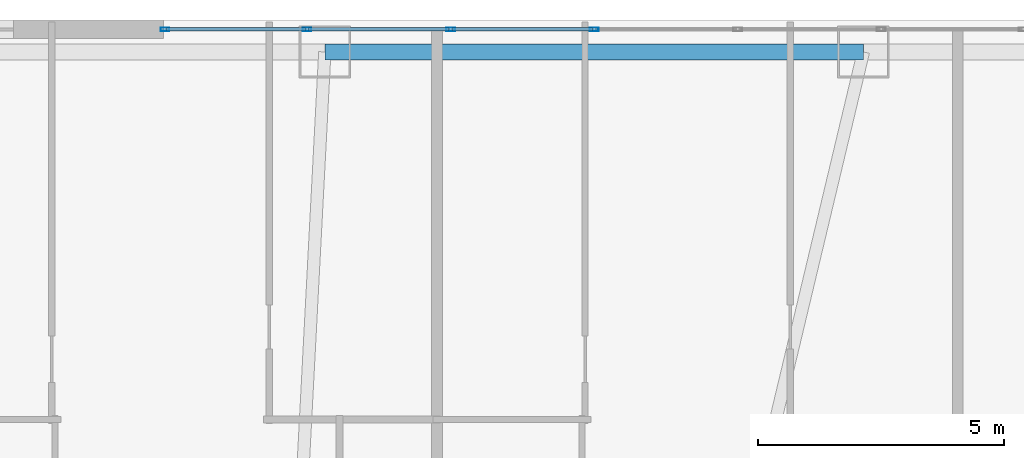
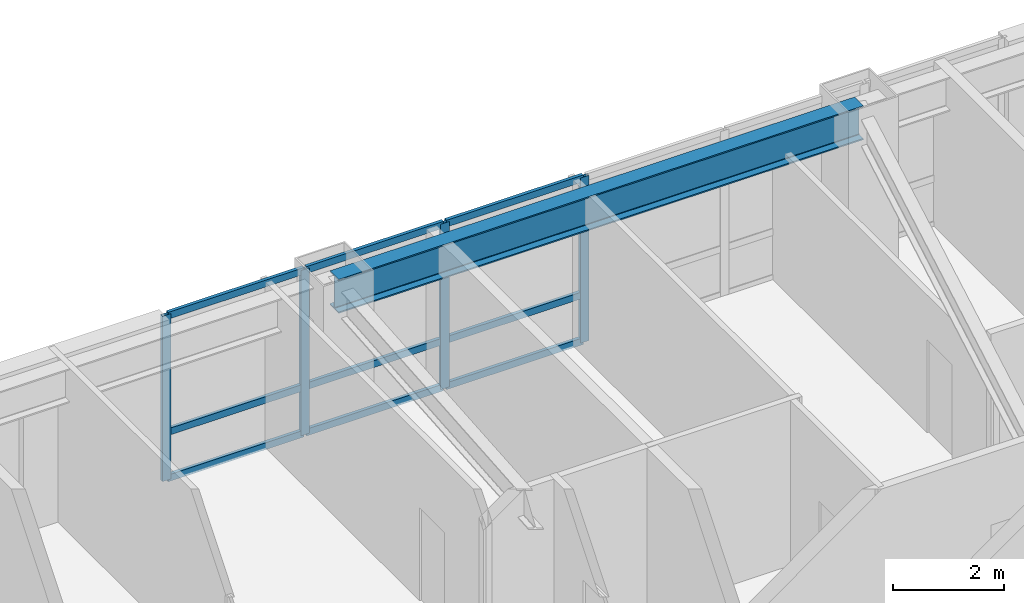
# One storey, part 17 of 28: 13 members, 1 beam, 1 element without a shape of its own.
"""IFC4 building model written with IfcOpenShell, lengths in metres."""

from ifc_helpers import new_model, si_unit, direction, frame, origin, origin_2d, place, context, subcontext, project, spatial, hollow_rectangle, i_section, extrude, material, layer, layer_set, material_profile, profile_set, type_object, element, aggregate, save


model = new_model("IFC4")

# Units and contexts
model_context = context("Model", 3, precision=1e-05, world=origin(), true_north=direction((0.0, 1.0)))
body_context = subcontext(model_context, "Body", "Model", "MODEL_VIEW")
ifc_project = project(units=[si_unit("LENGTHUNIT", "METRE"), si_unit("AREAUNIT", "SQUARE_METRE"), si_unit("VOLUMEUNIT", "CUBIC_METRE"), si_unit("PLANEANGLEUNIT", "RADIAN"), si_unit("MASSUNIT", "GRAM", prefix="KILO")], contexts=[model_context])

# Site, building, storey
site_placement = place(None, origin())
site = spatial("IfcSite", under=ifc_project, at=site_placement, CompositionType="ELEMENT")
building_placement = place(site_placement, origin())
building = spatial("IfcBuilding", under=site, at=building_placement, Name="Voryun Gate Residences", CompositionType="ELEMENT")
storey_placement = place(building_placement, frame((0.0, 0.0, 117.0)))
storey = spatial("IfcBuildingStorey", under=building, at=storey_placement, Name="L28", CompositionType="ELEMENT", Elevation=117.0)

# Beam
ifc_material_1 = material(Name="Steel SM355", Category="steel")
ifc_material_profile_1 = material_profile(ifc_material_1, i_section(OverallWidth=0.320068359375, OverallDepth=0.75, WebThickness=0.01611328125, FlangeThickness=0.028076171875, FilletRadius=0.01806640625, at=origin_2d()), Name="H-750x320x16x28")
ifc_profile_set_1 = profile_set([ifc_material_profile_1], Name="Steel SM355")
beam_type = type_object("IfcBeamType", Name="BM_EXO_SPANDREL_L", PredefinedType="SPANDREL", material=ifc_profile_set_1)
beam_placement = place(storey_placement, frame((7.47998046875, 21.14990234375, 3.27490234375), z_axis=(-1.0, 0.0, 0.0), x_axis=(0.0, -1.0, 0.0)))
element("IfcBeam", 1, at=beam_placement, inside=storey, type_object=beam_type, Name="BM-L28-SPAND-13", PredefinedType="SPANDREL", context=body_context, shape_type="SweptSolid", body=[
    extrude(i_section(OverallWidth=0.320068359375, OverallDepth=0.75, WebThickness=0.01611328125, FlangeThickness=0.028076171875, FilletRadius=0.01806640625, at=origin_2d()), origin(), (0.0, 0.0, 1.0), 10.9599609375),
])

# Curtain wall, members
ifc_material_2 = material(Name="Anodised aluminium", Category="aluminium")
ifc_layer = layer(ifc_material_2, 0.179931640625, Name="CW_SYS_RES_A_DARK_GLASS")
ifc_layer_set = layer_set([ifc_layer], Name="Anodised aluminium")
curtain_wall_type = type_object("IfcCurtainWallType", Name="CW_SYS_RES_A_DARK_GLASS", PredefinedType="NOTDEFINED", material=ifc_layer_set)
curtain_wall_placement = place(storey_placement, origin())
curtain_wall = element("IfcCurtainWall", 2, at=curtain_wall_placement, inside=storey, type_object=curtain_wall_type, Name="Curtain wall CWT-L28-11", PredefinedType="NOTDEFINED")
ifc_material_3 = material(Name="Anodised aluminium", Category="aluminium")
ifc_material_profile_2 = material_profile(ifc_material_3, hollow_rectangle(XDim=0.070068359375, YDim=0.179931640625, WallThickness=0.00390625, at=origin_2d()), Name="ALU-MULL-180x70x4")
ifc_profile_set_2 = profile_set([ifc_material_profile_2], Name="Anodised aluminium")
member_type_1 = type_object("IfcMemberType", Name="CW_MULL_RES", PredefinedType="MULLION", material=ifc_profile_set_2)
member_1_placement = place(storey_placement, frame((-6.73193359375, 21.610107421875, 0.0), z_axis=(0.0, 0.0, 1.0), x_axis=(0.0, 1.0, 0.0)))
member_1 = element("IfcMember", 3, at=member_1_placement, type_object=member_type_1, Name="CW3 mullion 1", PredefinedType="MULLION", context=body_context, shape_type="SweptSolid", body=[
    extrude(hollow_rectangle(XDim=0.070068359375, YDim=0.179931640625, WallThickness=0.00390625, at=origin_2d()), origin(), (0.0, 0.0, 1.0), 3.64990234375),
])
member_2_placement = place(storey_placement, frame((-3.84130859375, 21.610107421875, 0.0), z_axis=(0.0, 0.0, 1.0), x_axis=(0.0, 1.0, 0.0)))
member_2 = element("IfcMember", 4, at=member_2_placement, type_object=member_type_1, Name="CW3 mullion 2", PredefinedType="MULLION", context=body_context, shape_type="SweptSolid", body=[
    extrude(hollow_rectangle(XDim=0.070068359375, YDim=0.179931640625, WallThickness=0.00390625, at=origin_2d()), origin(), (0.0, 0.0, 1.0), 3.64990234375),
])
member_3_placement = place(storey_placement, frame((-0.920654296875, 21.610107421875, 0.0), z_axis=(0.0, 0.0, 1.0), x_axis=(0.0, 1.0, 0.0)))
member_3 = element("IfcMember", 5, at=member_3_placement, type_object=member_type_1, Name="CW3 mullion 3", PredefinedType="MULLION", context=body_context, shape_type="SweptSolid", body=[
    extrude(hollow_rectangle(XDim=0.070068359375, YDim=0.179931640625, WallThickness=0.00390625, at=origin_2d()), origin(), (0.0, 0.0, 1.0), 3.64990234375),
])
member_4_placement = place(storey_placement, frame((2.0, 21.610107421875, 0.0), z_axis=(0.0, 0.0, 1.0), x_axis=(0.0, 1.0, 0.0)))
member_4 = element("IfcMember", 6, at=member_4_placement, type_object=member_type_1, Name="CW3 mullion 4", PredefinedType="MULLION", context=body_context, shape_type="SweptSolid", body=[
    extrude(hollow_rectangle(XDim=0.070068359375, YDim=0.179931640625, WallThickness=0.00390625, at=origin_2d()), origin(), (0.0, 0.0, 1.0), 3.64990234375),
])
ifc_material_4 = material(Name="Anodised aluminium", Category="aluminium")
ifc_material_profile_3 = material_profile(ifc_material_4, hollow_rectangle(XDim=0.070068359375, YDim=0.14990234375, WallThickness=0.00390625, at=origin_2d()), Name="ALU-TRAN-150x70x4")
ifc_profile_set_3 = profile_set([ifc_material_profile_3], Name="Anodised aluminium")
member_type_2 = type_object("IfcMemberType", Name="CW_TRAN_RES", PredefinedType="USERDEFINED", material=ifc_profile_set_3)
member_5_placement = place(storey_placement, frame((-6.701904296875, 21.610107421875, 0.030029296875), z_axis=(1.0, 0.0, 0.0), x_axis=(0.0, 1.0, 0.0)))
member_5 = element("IfcMember", 7, at=member_5_placement, type_object=member_type_2, Name="CW3 transom 1.1", ObjectType="TRANSOM", PredefinedType="USERDEFINED", context=body_context, shape_type="SweptSolid", body=[
    extrude(hollow_rectangle(XDim=0.070068359375, YDim=0.14990234375, WallThickness=0.00390625, at=origin_2d()), origin(), (0.0, 0.0, 1.0), 2.83056640625),
])
member_6_placement = place(storey_placement, frame((-6.701904296875, 21.610107421875, 1.050048828125), z_axis=(1.0, 0.0, 0.0), x_axis=(0.0, 1.0, 0.0)))
member_6 = element("IfcMember", 8, at=member_6_placement, type_object=member_type_2, Name="CW3 transom 1.2", ObjectType="TRANSOM", PredefinedType="USERDEFINED", context=body_context, shape_type="SweptSolid", body=[
    extrude(hollow_rectangle(XDim=0.070068359375, YDim=0.14990234375, WallThickness=0.00390625, at=origin_2d()), origin(), (0.0, 0.0, 1.0), 2.83056640625),
])
member_7_placement = place(storey_placement, frame((-6.701904296875, 21.610107421875, 3.6201171875), z_axis=(1.0, 0.0, 0.0), x_axis=(0.0, 1.0, 0.0)))
member_7 = element("IfcMember", 9, at=member_7_placement, type_object=member_type_2, Name="CW3 transom 1.3", ObjectType="TRANSOM", PredefinedType="USERDEFINED", context=body_context, shape_type="SweptSolid", body=[
    extrude(hollow_rectangle(XDim=0.070068359375, YDim=0.14990234375, WallThickness=0.00390625, at=origin_2d()), origin(), (0.0, 0.0, 1.0), 2.83056640625),
])
member_8_placement = place(storey_placement, frame((-3.811279296875, 21.610107421875, 0.030029296875), z_axis=(1.0, 0.0, 0.0), x_axis=(0.0, 1.0, 0.0)))
member_8 = element("IfcMember", 10, at=member_8_placement, type_object=member_type_2, Name="CW3 transom 2.1", ObjectType="TRANSOM", PredefinedType="USERDEFINED", context=body_context, shape_type="SweptSolid", body=[
    extrude(hollow_rectangle(XDim=0.070068359375, YDim=0.14990234375, WallThickness=0.00390625, at=origin_2d()), origin(), (0.0, 0.0, 1.0), 2.860595703125),
])
member_9_placement = place(storey_placement, frame((-3.811279296875, 21.610107421875, 1.050048828125), z_axis=(1.0, 0.0, 0.0), x_axis=(0.0, 1.0, 0.0)))
member_9 = element("IfcMember", 11, at=member_9_placement, type_object=member_type_2, Name="CW3 transom 2.2", ObjectType="TRANSOM", PredefinedType="USERDEFINED", context=body_context, shape_type="SweptSolid", body=[
    extrude(hollow_rectangle(XDim=0.070068359375, YDim=0.14990234375, WallThickness=0.00390625, at=origin_2d()), origin(), (0.0, 0.0, 1.0), 2.860595703125),
])
member_10_placement = place(storey_placement, frame((-3.811279296875, 21.610107421875, 3.6201171875), z_axis=(1.0, 0.0, 0.0), x_axis=(0.0, 1.0, 0.0)))
member_10 = element("IfcMember", 12, at=member_10_placement, type_object=member_type_2, Name="CW3 transom 2.3", ObjectType="TRANSOM", PredefinedType="USERDEFINED", context=body_context, shape_type="SweptSolid", body=[
    extrude(hollow_rectangle(XDim=0.070068359375, YDim=0.14990234375, WallThickness=0.00390625, at=origin_2d()), origin(), (0.0, 0.0, 1.0), 2.860595703125),
])
member_11_placement = place(storey_placement, frame((-0.890625, 21.610107421875, 0.030029296875), z_axis=(1.0, 0.0, 0.0), x_axis=(0.0, 1.0, 0.0)))
member_11 = element("IfcMember", 13, at=member_11_placement, type_object=member_type_2, Name="CW3 transom 3.1", ObjectType="TRANSOM", PredefinedType="USERDEFINED", context=body_context, shape_type="SweptSolid", body=[
    extrude(hollow_rectangle(XDim=0.070068359375, YDim=0.14990234375, WallThickness=0.00390625, at=origin_2d()), origin(), (0.0, 0.0, 1.0), 2.860595703125),
])
member_12_placement = place(storey_placement, frame((-0.890625, 21.610107421875, 1.050048828125), z_axis=(1.0, 0.0, 0.0), x_axis=(0.0, 1.0, 0.0)))
member_12 = element("IfcMember", 14, at=member_12_placement, type_object=member_type_2, Name="CW3 transom 3.2", ObjectType="TRANSOM", PredefinedType="USERDEFINED", context=body_context, shape_type="SweptSolid", body=[
    extrude(hollow_rectangle(XDim=0.070068359375, YDim=0.14990234375, WallThickness=0.00390625, at=origin_2d()), origin(), (0.0, 0.0, 1.0), 2.860595703125),
])
member_13_placement = place(storey_placement, frame((-0.890625, 21.610107421875, 3.6201171875), z_axis=(1.0, 0.0, 0.0), x_axis=(0.0, 1.0, 0.0)))
member_13 = element("IfcMember", 15, at=member_13_placement, type_object=member_type_2, Name="CW3 transom 3.3", ObjectType="TRANSOM", PredefinedType="USERDEFINED", context=body_context, shape_type="SweptSolid", body=[
    extrude(hollow_rectangle(XDim=0.070068359375, YDim=0.14990234375, WallThickness=0.00390625, at=origin_2d()), origin(), (0.0, 0.0, 1.0), 2.860595703125),
])
aggregate(curtain_wall, [member_1, member_2, member_3, member_4, member_5, member_6, member_7, member_8, member_9, member_10, member_11, member_12, member_13])

save(model, "model.ifc")
